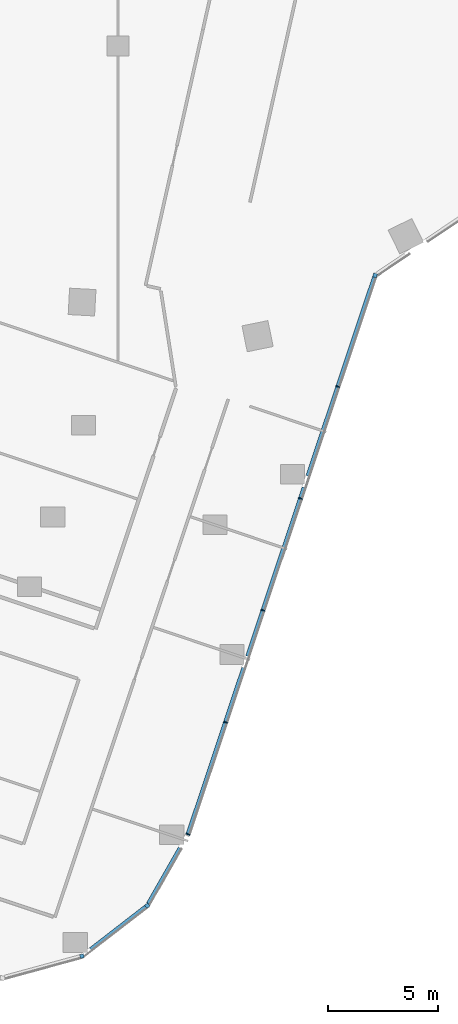
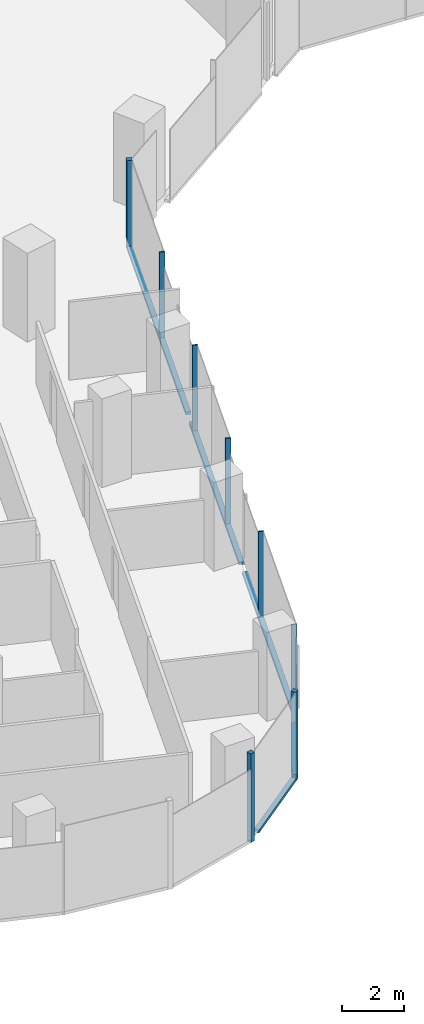
# One storey, part 5 of 25: 13 members, 4 elements without a shape of their own.
"""IFC4 building model written with IfcOpenShell, lengths in metres."""

from ifc_helpers import new_model, si_unit, direction, frame, origin, origin_2d, place, context, subcontext, project, spatial, rectangle, extrude, material, material_profile, profile_set, type_object, element, aggregate, save


model = new_model("IFC4")

# Units and contexts
model_context = context("Model", 3, precision=1e-05, world=origin(), true_north=direction((0.0, 1.0)))
body_context = subcontext(model_context, "Body", "Model", "MODEL_VIEW")
ifc_project = project(units=[si_unit("LENGTHUNIT", "METRE"), si_unit("AREAUNIT", "SQUARE_METRE"), si_unit("VOLUMEUNIT", "CUBIC_METRE"), si_unit("PLANEANGLEUNIT", "RADIAN"), si_unit("MASSUNIT", "GRAM", prefix="KILO")], contexts=[model_context])

# Site, building, storey
site_placement = place(None, origin())
site = spatial("IfcSite", under=ifc_project, at=site_placement, CompositionType="ELEMENT")
building_placement = place(site_placement, origin())
building = spatial("IfcBuilding", under=site, at=building_placement, Name="Orlundy Tower", CompositionType="ELEMENT")
storey_placement = place(building_placement, frame((0.0, 0.0, 159.60009765625)))
storey = spatial("IfcBuildingStorey", under=building, at=storey_placement, Name="L41", CompositionType="ELEMENT", Elevation=159.60009765625)

# Curtain wall, member
ifc_material_1 = material(Name="Aluminium bronze anodised", Category="aluminium")
curtain_wall_type = type_object("IfcCurtainWallType", Name="CW1 wall", PredefinedType="NOTDEFINED", material=ifc_material_1)
curtain_wall_1_placement = place(storey_placement, origin())
curtain_wall_1 = element("IfcCurtainWall", 1, at=curtain_wall_1_placement, inside=storey, type_object=curtain_wall_type, Name="CW1 run 018", PredefinedType="NOTDEFINED")
ifc_material_2 = material(Name="Aluminium bronze anodised", Category="aluminium")
ifc_material_profile_1 = material_profile(ifc_material_2, rectangle(XDim=0.179931640625, YDim=0.179931640625, at=origin_2d()), Name="CW1 corner post 180x180")
ifc_profile_set_1 = profile_set([ifc_material_profile_1], Name="Aluminium bronze anodised")
member_type_1 = type_object("IfcMemberType", Name="CW1 corner post 180x180", PredefinedType="MULLION", material=ifc_profile_set_1)
member_1_placement = place(storey_placement, frame((11.675537109375, -28.41943359375, -0.400146484375), z_axis=(0.0, 0.0, 1.0), x_axis=(0.948320522025, -0.317314020344, 0.0)))
member_1 = element("IfcMember", 2, at=member_1_placement, type_object=member_type_1, Name="CW1 mullion 44", PredefinedType="MULLION", context=body_context, shape_type="SweptSolid", body=[
    extrude(rectangle(XDim=0.179931640625, YDim=0.179931640625, at=origin_2d()), origin(), (0.0, 0.0, 1.0), 3.5),
])

curtain_wall_2_placement = place(storey_placement, origin())
curtain_wall_2 = element("IfcCurtainWall", 3, at=curtain_wall_2_placement, inside=storey, type_object=curtain_wall_type, Name="CW1 run 020", PredefinedType="NOTDEFINED")
member_2_placement = place(storey_placement, frame((1.331298828125, -57.040283203125, -0.400146484375), z_axis=(0.0, 0.0, 1.0), x_axis=(0.61231463548, -0.790614183516, 0.0)))
member_2 = element("IfcMember", 4, at=member_2_placement, type_object=member_type_1, Name="CW1 mullion 50", PredefinedType="MULLION", context=body_context, shape_type="SweptSolid", body=[
    extrude(rectangle(XDim=0.179931640625, YDim=0.179931640625, at=origin_2d()), origin(), (0.0, 0.0, 1.0), 3.5),
])

curtain_wall_3_placement = place(storey_placement, origin())
curtain_wall_3 = element("IfcCurtainWall", 5, at=curtain_wall_3_placement, inside=storey, type_object=curtain_wall_type, Name="CW1 run 021", PredefinedType="NOTDEFINED")
member_3_placement = place(storey_placement, frame((-1.6279296875, -59.33203125, -0.400146484375), z_axis=(0.0, 0.0, 1.0), x_axis=(0.263048919026, -0.964782496835, 0.0)))
member_3 = element("IfcMember", 6, at=member_3_placement, type_object=member_type_1, Name="CW1 mullion 51", PredefinedType="MULLION", context=body_context, shape_type="SweptSolid", body=[
    extrude(rectangle(XDim=0.179931640625, YDim=0.179931640625, at=origin_2d()), origin(), (0.0, 0.0, 1.0), 3.5),
])
aggregate(curtain_wall_3, [member_3])

# Member
ifc_material_3 = material(Name="Aluminium bronze anodised", Category="aluminium")
ifc_material_profile_2 = material_profile(ifc_material_3, rectangle(XDim=0.179931640625, YDim=0.050048828125, at=origin_2d()), Name="CW1 mullion 50x180")
ifc_profile_set_2 = profile_set([ifc_material_profile_2], Name="Aluminium bronze anodised")
member_type_2 = type_object("IfcMemberType", Name="CW1 mullion 50x180", PredefinedType="MULLION", material=ifc_profile_set_2)
member_4_placement = place(storey_placement, frame((9.985595703125, -33.470458984375, -0.400146484375), z_axis=(0.0, 0.0, 1.0), x_axis=(0.948320522025, -0.317314020344, 0.0)))
member_4 = element("IfcMember", 7, at=member_4_placement, type_object=member_type_2, Name="CW1 mullion 45", PredefinedType="MULLION", context=body_context, shape_type="SweptSolid", body=[
    extrude(rectangle(XDim=0.179931640625, YDim=0.050048828125, at=origin_2d()), origin(), (0.0, 0.0, 1.0), 3.5),
])

member_5_placement = place(storey_placement, frame((8.28564453125, -38.550537109375, -0.400146484375), z_axis=(0.0, 0.0, 1.0), x_axis=(0.948320522025, -0.317314020344, 0.0)))
member_5 = element("IfcMember", 8, at=member_5_placement, type_object=member_type_2, Name="CW1 mullion 46", PredefinedType="MULLION", context=body_context, shape_type="SweptSolid", body=[
    extrude(rectangle(XDim=0.179931640625, YDim=0.050048828125, at=origin_2d()), origin(), (0.0, 0.0, 1.0), 3.5),
])

member_6_placement = place(storey_placement, frame((6.5859375, -43.630615234375, -0.400146484375), z_axis=(0.0, 0.0, 1.0), x_axis=(0.948320522025, -0.317314020344, 0.0)))
member_6 = element("IfcMember", 9, at=member_6_placement, type_object=member_type_2, Name="CW1 mullion 47", PredefinedType="MULLION", context=body_context, shape_type="SweptSolid", body=[
    extrude(rectangle(XDim=0.179931640625, YDim=0.050048828125, at=origin_2d()), origin(), (0.0, 0.0, 1.0), 3.5),
])

member_7_placement = place(storey_placement, frame((4.88623046875, -48.71044921875, -0.400146484375), z_axis=(0.0, 0.0, 1.0), x_axis=(0.948320522025, -0.317314020344, 0.0)))
member_7 = element("IfcMember", 10, at=member_7_placement, type_object=member_type_2, Name="CW1 mullion 48", PredefinedType="MULLION", context=body_context, shape_type="SweptSolid", body=[
    extrude(rectangle(XDim=0.179931640625, YDim=0.050048828125, at=origin_2d()), origin(), (0.0, 0.0, 1.0), 3.5),
])

# Curtain wall, member
curtain_wall_4_placement = place(storey_placement, origin())
curtain_wall_4 = element("IfcCurtainWall", 11, at=curtain_wall_4_placement, inside=storey, type_object=curtain_wall_type, Name="CW1 run 019", PredefinedType="NOTDEFINED")
member_8_placement = place(storey_placement, frame((3.18359375, -53.799072265625, -0.400146484375), z_axis=(0.0, 0.0, 1.0), x_axis=(0.912665322896, -0.408707729781, 0.0)))
member_8 = element("IfcMember", 12, at=member_8_placement, type_object=member_type_2, Name="CW1 mullion 49", PredefinedType="MULLION", context=body_context, shape_type="SweptSolid", body=[
    extrude(rectangle(XDim=0.179931640625, YDim=0.050048828125, at=origin_2d()), origin(), (0.0, 0.0, 1.0), 3.5),
])

# Member
ifc_material_4 = material(Name="Aluminium bronze anodised", Category="aluminium")
ifc_material_profile_3 = material_profile(ifc_material_4, rectangle(XDim=0.179931640625, YDim=0.1201171875, at=origin_2d()), Name="CW1 transom 180x120")
ifc_profile_set_3 = profile_set([ifc_material_profile_3], Name="Aluminium bronze anodised")
member_type_3 = type_object("IfcMemberType", Name="CW1 transom 180x120", PredefinedType="USERDEFINED", material=ifc_profile_set_3)
member_9_placement = place(storey_placement, frame((11.647216796875, -28.5048828125, -0.340087890625), z_axis=(-0.317327622506, -0.948315970547, 0.0), x_axis=(0.948315970547, -0.317327622506, 0.0)))
member_9 = element("IfcMember", 13, at=member_9_placement, type_object=member_type_3, Name="CW1 transom", ObjectType="TRANSOM", PredefinedType="USERDEFINED", context=body_context, shape_type="SweptSolid", body=[
    extrude(rectangle(XDim=0.179931640625, YDim=0.1201171875, at=origin_2d()), origin(), (0.0, 0.0, 1.0), 9.52099609375),
])

member_10_placement = place(storey_placement, frame((8.453125, -38.050048828125, -0.340087890625), z_axis=(-0.317305270862, -0.948323449611, 0.0), x_axis=(0.948323449611, -0.317305270862, 0.0)))
member_10 = element("IfcMember", 14, at=member_10_placement, type_object=member_type_3, Name="CW1 transom", ObjectType="TRANSOM", PredefinedType="USERDEFINED", context=body_context, shape_type="SweptSolid", body=[
    extrude(rectangle(XDim=0.179931640625, YDim=0.1201171875, at=origin_2d()), origin(), (0.0, 0.0, 1.0), 8.08740234375),
])

member_11_placement = place(storey_placement, frame((5.71337890625, -46.238037109375, -0.340087890625), z_axis=(-0.317314968724, -0.94832020469, 0.0), x_axis=(0.94832020469, -0.317314968724, 0.0)))
member_11 = element("IfcMember", 15, at=member_11_placement, type_object=member_type_3, Name="CW1 transom", ObjectType="TRANSOM", PredefinedType="USERDEFINED", context=body_context, shape_type="SweptSolid", body=[
    extrude(rectangle(XDim=0.179931640625, YDim=0.1201171875, at=origin_2d()), origin(), (0.0, 0.0, 1.0), 7.94775390625),
])

aggregate(curtain_wall_1, [member_1, member_4, member_5, member_6, member_7, member_9, member_10, member_11])

member_12_placement = place(storey_placement, frame((2.826904296875, -54.423095703125, -0.340087890625), z_axis=(-0.496174993415, -0.868222538241, 0.0), x_axis=(0.868222538241, -0.496174993415, 0.0)))
member_12 = element("IfcMember", 16, at=member_12_placement, type_object=member_type_3, Name="CW1 transom", ObjectType="TRANSOM", PredefinedType="USERDEFINED", context=body_context, shape_type="SweptSolid", body=[
    extrude(rectangle(XDim=0.179931640625, YDim=0.1201171875, at=origin_2d()), origin(), (0.0, 0.0, 1.0), 2.916748046875),
])

aggregate(curtain_wall_4, [member_8, member_12])

member_13_placement = place(storey_placement, frame((1.260009765625, -57.09521484375, -0.340087890625), z_axis=(-0.790590921705, -0.612344669706, 0.0), x_axis=(0.612344669706, -0.790590921705, 0.0)))
member_13 = element("IfcMember", 17, at=member_13_placement, type_object=member_type_3, Name="CW1 transom", ObjectType="TRANSOM", PredefinedType="USERDEFINED", context=body_context, shape_type="SweptSolid", body=[
    extrude(rectangle(XDim=0.179931640625, YDim=0.1201171875, at=origin_2d()), origin(), (0.0, 0.0, 1.0), 3.158447265625),
])

aggregate(curtain_wall_2, [member_2, member_13])

save(model, "model.ifc")
